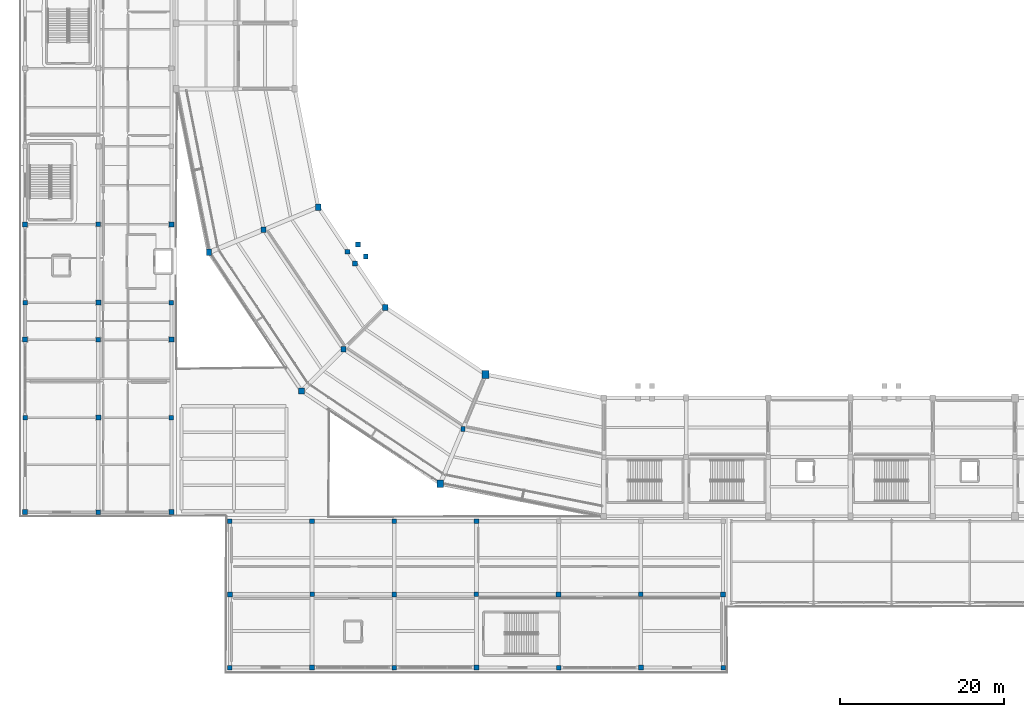
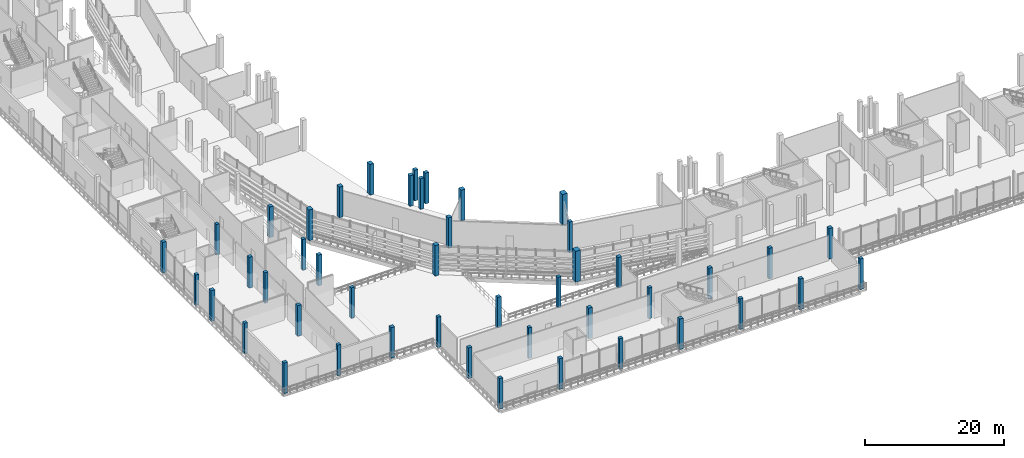
# One storey, part 1 of 111: 46 columns.
"""IFC4 building model written with IfcOpenShell, lengths in metres."""

import ifcopenshell
import ifcopenshell.guid

model = None  # the IFC model being written
_history = None  # IfcOwnerHistory: only IFC2X3 demands one
_inside = {}  # id of a spatial element -> (the spatial element, [elements in it])
_under = {}  # id of a project, library or spatial element -> (it, [spatial elements below it])
_declared = {}  # id of a project -> (the project, [libraries it declares])
_typed = {}  # id of a type object -> (the type object, [elements of that type])
_made_of = {}  # id of a material, layer set ... -> (it, [elements and type objects made of it])


def new_model(schema):
    """Start an empty IFC model of exactly this schema.

    Asked for "IFC4X3", IfcOpenShell would pick the latest addendum, in which some entities
    have other attributes; the version numbers below select the first issue.
    IFC2X3 requires an IfcOwnerHistory on every rooted entity: one is made here for all.
    """
    global model, _history
    if schema == "IFC4X3":
        model = ifcopenshell.file(schema_version=(4, 3, 0, 0))
    else:
        model = ifcopenshell.file(schema=schema)
    _inside.clear()
    _under.clear()
    _declared.clear()
    _typed.clear()
    _made_of.clear()
    _history = None
    if model.schema == "IFC2X3":
        org = make("IfcOrganization", Name="unknown")
        user = make(
            "IfcPersonAndOrganization",
            ThePerson=make("IfcPerson", FamilyName="unknown"),
            TheOrganization=org,
        )
        app = make(
            "IfcApplication",
            ApplicationDeveloper=org,
            Version="unknown",
            ApplicationFullName="unknown",
            ApplicationIdentifier="unknown",
        )
        _history = make(
            "IfcOwnerHistory",
            OwningUser=user,
            OwningApplication=app,
            ChangeAction="ADDED",
            CreationDate=0,
        )
    return model


def make(cls, **values):
    """One entity of the class cls with the attributes given. An attribute that is None is left unset."""
    return model.create_entity(
        cls, **{name: value for name, value in values.items() if value is not None}
    )


def rooted(cls, **values):
    """An entity with a GlobalId (a new one), such as an element, a storey or a relation."""
    return make(cls, GlobalId=ifcopenshell.guid.new(), OwnerHistory=_history, **values)


def si_unit(unit_type, name, prefix=None):
    """IfcSIUnit, for example si_unit("LENGTHUNIT", "METRE", prefix="MILLI")."""
    return make("IfcSIUnit", UnitType=unit_type, Prefix=prefix, Name=name)


def assignment(units):
    """IfcUnitAssignment: the units of a project."""
    return None if units is None else make("IfcUnitAssignment", Units=units)


def point(xyz):
    """IfcCartesianPoint."""
    return None if xyz is None else make("IfcCartesianPoint", Coordinates=xyz)


def direction(xyz):
    """IfcDirection."""
    return None if xyz is None else make("IfcDirection", DirectionRatios=xyz)


def frame(location, z_axis=None, x_axis=None):
    """IfcAxis2Placement3D, a coordinate frame: its origin and axes. An axis left out is left unset."""
    return make(
        "IfcAxis2Placement3D",
        Location=point(location),
        Axis=direction(z_axis),
        RefDirection=direction(x_axis),
    )


def frame_2d(location, x_axis=None):
    """IfcAxis2Placement2D, a coordinate frame in the plane: its origin and x axis."""
    return make(
        "IfcAxis2Placement2D", Location=point(location), RefDirection=direction(x_axis)
    )


def origin():
    """The frame at (0, 0, 0) with its axes left unset."""
    return frame((0.0, 0.0, 0.0))


def origin_2d():
    """The frame at (0, 0) in the plane with its x axis left unset."""
    return frame_2d((0.0, 0.0))


def place(relative_to, where):
    """IfcLocalPlacement: puts the frame where relative to a parent placement (None: the world)."""
    return make(
        "IfcLocalPlacement", PlacementRelTo=relative_to, RelativePlacement=where
    )


def context(
    kind, dimensions, precision=None, world=None, true_north=None, identifier=None
):
    """IfcGeometricRepresentationContext, for example the 3D "Model" context."""
    return make(
        "IfcGeometricRepresentationContext",
        ContextIdentifier=identifier,
        ContextType=kind,
        CoordinateSpaceDimension=dimensions,
        Precision=precision,
        WorldCoordinateSystem=world,
        TrueNorth=true_north,
    )


def subcontext(parent, identifier, kind, view, scale=None):
    """IfcGeometricRepresentationSubContext, for example "Body" below "Model"."""
    return make(
        "IfcGeometricRepresentationSubContext",
        ContextIdentifier=identifier,
        ContextType=kind,
        ParentContext=parent,
        TargetScale=scale,
        TargetView=view,
    )


def project(units=None, contexts=None):
    """IfcProject with its units and contexts."""
    return rooted(
        "IfcProject",
        Name="project",
        RepresentationContexts=contexts,
        UnitsInContext=assignment(units),
    )


def spatial(cls, under=None, at=None, **own):
    """A site, building, storey or space (cls), placed at a placement, below another one or the project."""
    s = rooted(cls, ObjectPlacement=at, **own)
    if under is not None:
        _under.setdefault(under.id(), (under, []))[1].append(s)
    return s


def profile(cls, at=None, kind="AREA", **sizes):
    """A parametric profile (cls). Its sizes go by their IFC names, for example OverallWidth=200.0."""
    return make(cls, ProfileType=kind, Position=at, **sizes)


def rectangle(**sizes):
    """IfcRectangleProfileDef."""
    return profile("IfcRectangleProfileDef", **sizes)


def extrude(swept, where, along, depth):
    """IfcExtrudedAreaSolid: the profile swept, set in the frame where, extruded along a direction by depth."""
    return make(
        "IfcExtrudedAreaSolid",
        SweptArea=swept,
        Position=where,
        ExtrudedDirection=direction(along),
        Depth=depth,
    )


def shape(context_of_items, identifier, shape_type, items):
    """IfcShapeRepresentation: the items that make up one representation, for example the "Body"."""
    return make(
        "IfcShapeRepresentation",
        ContextOfItems=context_of_items,
        RepresentationIdentifier=identifier,
        RepresentationType=shape_type,
        Items=items,
    )


def material(Name=None, Category=None):
    """IfcMaterial."""
    return make("IfcMaterial", Name=Name, Category=Category)


def material_profile(
    of_material, cross_section, Name=None, Category=None, Priority=None
):
    """IfcMaterialProfile: a cross section and its material."""
    return make(
        "IfcMaterialProfile",
        Name=Name,
        Material=of_material,
        Profile=cross_section,
        Priority=Priority,
        Category=Category,
    )


def profile_set(profiles, Name=None, composite=None):
    """IfcMaterialProfileSet."""
    return make(
        "IfcMaterialProfileSet",
        Name=Name,
        MaterialProfiles=profiles,
        CompositeProfile=composite,
    )


def made_of(thing, what):
    """Note that an element or type object is made of a material, layer set ...; save() writes the relation."""
    if what is not None:
        _made_of.setdefault(what.id(), (what, []))[1].append(thing)
    return thing


def type_object(cls, material=None, **own):
    """A type object (cls), such as IfcWallType, which elements share."""
    return made_of(rooted(cls, **own), material)


def element(
    cls,
    number,
    at=None,
    inside=None,
    cuts=None,
    type_object=None,
    material=None,
    context=None,
    identifier="Body",
    shape_type=None,
    held_by="IfcProductDefinitionShape",
    body=None,
    shapes=None,
    **own,
):
    """One element of the class cls, such as IfcWall. Its Tag is "e" and its number.

    at: its placement. inside: the storey or other place that contains it. cuts: it is an
    opening in that element (IfcRelVoidsElement). A single representation is given by context,
    identifier, shape_type and body (its items); several are given by shapes. held_by: the class
    of the entity that holds the representations. save() writes the other relations.
    """
    e = rooted(cls, Tag="e%d" % number, ObjectPlacement=at, **own)
    if body is not None:
        shapes = [shape(context, identifier, shape_type, body)]
    if shapes is not None:
        e.Representation = make(held_by, Representations=shapes)
    if inside is not None:
        _inside.setdefault(inside.id(), (inside, []))[1].append(e)
    if cuts is not None:
        rooted(
            "IfcRelVoidsElement", RelatingBuildingElement=cuts, RelatedOpeningElement=e
        )
    if type_object is not None:
        _typed.setdefault(type_object.id(), (type_object, []))[1].append(e)
    return made_of(e, material)


def aggregate(whole, parts):
    """IfcRelAggregates: a whole, such as a stair, and the parts it consists of."""
    return rooted("IfcRelAggregates", RelatingObject=whole, RelatedObjects=parts)


def save(model, path):
    """Write the relations noted so far, then the file.

    IfcRelAggregates (storeys below a building ...), IfcRelContainedInSpatialStructure (elements
    in a storey), IfcRelDefinesByType, IfcRelAssociatesMaterial and IfcRelDeclares: one each for
    every whole, place, type object, material and project.
    """
    for whole, parts in _under.values():
        aggregate(whole, parts)
    for where, things in _inside.values():
        rooted(
            "IfcRelContainedInSpatialStructure",
            RelatedElements=things,
            RelatingStructure=where,
        )
    for kind, things in _typed.values():
        rooted("IfcRelDefinesByType", RelatedObjects=things, RelatingType=kind)
    for what, things in _made_of.values():
        rooted("IfcRelAssociatesMaterial", RelatedObjects=things, RelatingMaterial=what)
    for by, libraries in _declared.values():
        rooted("IfcRelDeclares", RelatingContext=by, RelatedDefinitions=libraries)
    model.write(path)


model = new_model("IFC4")

# Units and contexts
model_context = context("Model", 3, precision=1e-05, world=origin(), true_north=direction((0.0, 1.0)))
body_context = subcontext(model_context, "Body", "Model", "MODEL_VIEW")
ifc_project = project(units=[si_unit("LENGTHUNIT", "METRE"), si_unit("AREAUNIT", "SQUARE_METRE"), si_unit("VOLUMEUNIT", "CUBIC_METRE"), si_unit("PLANEANGLEUNIT", "RADIAN"), si_unit("MASSUNIT", "GRAM", prefix="KILO")], contexts=[model_context])

# Site, building, storey
site_placement = place(None, origin())
site = spatial("IfcSite", under=ifc_project, at=site_placement, CompositionType="ELEMENT")
building_placement = place(site_placement, origin())
building = spatial("IfcBuilding", under=site, at=building_placement, Name="Candeia Ridge Stadium", CompositionType="ELEMENT")
storey_placement = place(building_placement, frame((0.0, 0.0, 16.199951171875)))
storey = spatial("IfcBuildingStorey", under=building, at=storey_placement, Name="L03", CompositionType="ELEMENT", Elevation=16.199951171875)

# Columns
ifc_material_1 = material(Name="Concrete C40/50", Category="concrete")
ifc_material_profile_1 = material_profile(ifc_material_1, rectangle(XDim=0.52001953125, YDim=0.6201171875, at=origin_2d()), Name="RC520x620", Category="concrete")
ifc_profile_set_1 = profile_set([ifc_material_profile_1], Name="Concrete C40/50")
column_type_1 = type_object("IfcColumnType", Name="Graduated Frame Column RC520x620", PredefinedType="COLUMN", material=ifc_profile_set_1)
column_1_placement = place(storey_placement, frame((53.855712890625, 29.610107421875, 0.0), z_axis=(0.0, 0.0, 1.0), x_axis=(1.0, 0.0, 0.0)))
element("IfcColumn", 1, at=column_1_placement, inside=storey, type_object=column_type_1, Name="Structural column BC-M2-17 L03", PredefinedType="COLUMN", context=body_context, shape_type="SweptSolid", body=[
    extrude(rectangle(XDim=0.52001953125, YDim=0.6201171875, at=origin_2d()), origin(), (0.0, 0.0, 1.0), 5.400146484375),
])
ifc_material_profile_2 = material_profile(ifc_material_1, rectangle(XDim=0.580078125, YDim=0.679931640625, at=origin_2d()), Name="RC580x680", Category="concrete")
ifc_profile_set_2 = profile_set([ifc_material_profile_2], Name="Concrete C40/50")
column_type_2 = type_object("IfcColumnType", Name="Graduated Frame Column RC580x680", PredefinedType="COLUMN", material=ifc_profile_set_2)
column_2_placement = place(storey_placement, frame((39.321533203125, 39.321533203125, 0.0), z_axis=(0.0, 0.0, 1.0), x_axis=(1.0, 0.0, 0.0)))
element("IfcColumn", 2, at=column_2_placement, inside=storey, type_object=column_type_2, Name="Structural column BC-M2-16 L03", PredefinedType="COLUMN", context=body_context, shape_type="SweptSolid", body=[
    extrude(rectangle(XDim=0.580078125, YDim=0.679931640625, at=origin_2d()), origin(), (0.0, 0.0, 1.0), 5.400146484375),
])
ifc_material_profile_3 = material_profile(ifc_material_1, rectangle(XDim=0.6201171875, YDim=0.719970703125, at=origin_2d()), Name="RC620x720", Category="concrete")
ifc_profile_set_3 = profile_set([ifc_material_profile_3], Name="Concrete C40/50")
column_type_3 = type_object("IfcColumnType", Name="Graduated Frame Column RC620x720", PredefinedType="COLUMN", material=ifc_profile_set_3)
column_3_placement = place(storey_placement, frame((29.610107421875, 53.855712890625, 0.0), z_axis=(0.0, 0.0, 1.0), x_axis=(1.0, 0.0, 0.0)))
element("IfcColumn", 3, at=column_3_placement, inside=storey, type_object=column_type_3, Name="Structural column BC-M2-15 L03", PredefinedType="COLUMN", context=body_context, shape_type="SweptSolid", body=[
    extrude(rectangle(XDim=0.6201171875, YDim=0.719970703125, at=origin_2d()), origin(), (0.0, 0.0, 1.0), 5.400146484375),
])
ifc_material_2 = material(Name="Concrete C45/55", Category="concrete")
ifc_material_profile_4 = material_profile(ifc_material_2, rectangle(XDim=0.820068359375, YDim=0.949951171875, at=origin_2d()), Name="RC820x950", Category="concrete")
ifc_profile_set_4 = profile_set([ifc_material_profile_4], Name="Concrete C45/55")
column_type_4 = type_object("IfcColumnType", Name="Graduated Frame Column RC820x950", PredefinedType="COLUMN", material=ifc_profile_set_4)
for number, where, z_axis, x_axis, name in (
    (4, (56.611083984375, 36.26220703125, 0.0), (0.0, 0.0, 1.0), (1.0, 0.0, 0.0), "Structural column BC-MD-17 L03"),
    (5, (51.100341796875, 22.958251953125, 0.0), (0.0, 0.0, 1.0), (1.0, 0.0, 0.0), "Structural column BC-OU-17 L03"),
):
    element("IfcColumn", number, at=place(storey_placement, frame(where, z_axis=z_axis, x_axis=x_axis)), inside=storey, type_object=column_type_4, Name=name, PredefinedType="COLUMN", context=body_context, shape_type="SweptSolid", body=[
        extrude(rectangle(XDim=0.820068359375, YDim=0.949951171875, at=origin_2d()), origin(), (0.0, 0.0, 1.0), 5.400146484375),
    ])
ifc_material_profile_5 = material_profile(ifc_material_1, rectangle(XDim=0.550048828125, YDim=0.550048828125, at=origin_2d()), Name="RC550x550", Category="concrete")
ifc_profile_set_5 = profile_set([ifc_material_profile_5], Name="Concrete C40/50")
column_type_5 = type_object("IfcColumnType", Name="Reinforced Concrete Column RC550x550", PredefinedType="COLUMN", material=ifc_profile_set_5)
for number, where, z_axis, x_axis, name in (
    (6, (0.60009765625, 31.0, 0.0), (0.0, 0.0, 1.0), (1.0, 0.0, 0.0), "Structural column WP-00-01 L03"),
    (7, (0.60009765625, 45.0, 0.0), (0.0, 0.0, 1.0), (1.0, 0.0, 0.0), "Structural column WP-00-03 L03"),
    (8, (9.5, 19.5, 0.0), (0.0, 0.0, 1.0), (1.0, 0.0, 0.0), "Structural column WP-01-00 L03"),
    (9, (9.5, 40.5, 0.0), (0.0, 0.0, 1.0), (1.0, 0.0, 0.0), "Structural column WP-01-02 L03"),
    (10, (9.5, 54.5, 0.0), (0.0, 0.0, 1.0), (1.0, 0.0, 0.0), "Structural column WP-01-04 L03"),
    (11, (18.39990234375, 31.0, 0.0), (0.0, 0.0, 1.0), (1.0, 0.0, 0.0), "Structural column WP-02-01 L03"),
    (12, (18.39990234375, 45.0, 0.0), (0.0, 0.0, 1.0), (1.0, 0.0, 0.0), "Structural column WP-02-03 L03"),
    (13, (25.5, 0.60009765625, 0.0), (0.0, 0.0, 1.0), (1.0, 0.0, 0.0), "Structural column SWW-00-00 L03"),
    (14, (25.5, 18.39990234375, 0.0), (0.0, 0.0, 1.0), (1.0, 0.0, 0.0), "Structural column SWW-00-02 L03"),
    (15, (35.5, 9.5, 0.0), (0.0, 0.0, 1.0), (1.0, 0.0, 0.0), "Structural column SWW-01-01 L03"),
    (16, (45.5, 0.60009765625, 0.0), (0.0, 0.0, 1.0), (1.0, 0.0, 0.0), "Structural column SWW-02-00 L03"),
    (17, (45.5, 18.39990234375, 0.0), (0.0, 0.0, 1.0), (1.0, 0.0, 0.0), "Structural column SWW-02-02 L03"),
    (18, (55.5, 9.5, 0.0), (0.0, 0.0, 1.0), (1.0, 0.0, 0.0), "Structural column SWW-03-01 L03"),
    (19, (65.5, 0.60009765625, 0.0), (0.0, 0.0, 1.0), (1.0, 0.0, 0.0), "Structural column SWW-04-00 L03"),
    (20, (75.5, 9.5, 0.0), (0.0, 0.0, 1.0), (1.0, 0.0, 0.0), "Structural column SWW-05-01 L03"),
    (21, (85.5, 0.60009765625, 0.0), (0.0, 0.0, 1.0), (1.0, 0.0, 0.0), "Structural column SWW-06-00 L03"),
):
    element("IfcColumn", number, at=place(storey_placement, frame(where, z_axis=z_axis, x_axis=x_axis)), inside=storey, type_object=column_type_5, Name=name, PredefinedType="COLUMN", context=body_context, shape_type="SweptSolid", body=[
        extrude(rectangle(XDim=0.550048828125, YDim=0.550048828125, at=origin_2d()), origin(), (0.0, 0.0, 1.0), 5.400146484375),
    ])
ifc_material_profile_6 = material_profile(ifc_material_1, rectangle(XDim=0.64990234375, YDim=0.800048828125, at=origin_2d()), Name="RC650x800", Category="concrete")
ifc_profile_set_6 = profile_set([ifc_material_profile_6], Name="Concrete C40/50")
column_type_6 = type_object("IfcColumnType", Name="Reinforced Concrete Column RC650x800", PredefinedType="COLUMN", material=ifc_profile_set_6)
for number, where, z_axis, x_axis, name in (
    (22, (36.26220703125, 56.611083984375, 0.0), (0.0, 0.0, 1.0), (1.0, 0.0, 0.0), "Structural column BC-MD-15 L03"),
    (23, (22.958251953125, 51.100341796875, 0.0), (0.0, 0.0, 1.0), (1.0, 0.0, 0.0), "Structural column BC-OU-15 L03"),
):
    element("IfcColumn", number, at=place(storey_placement, frame(where, z_axis=z_axis, x_axis=x_axis)), inside=storey, type_object=column_type_6, Name=name, PredefinedType="COLUMN", context=body_context, shape_type="SweptSolid", body=[
        extrude(rectangle(XDim=0.64990234375, YDim=0.800048828125, at=origin_2d()), origin(), (0.0, 0.0, 1.0), 5.400146484375),
    ])
ifc_material_profile_7 = material_profile(ifc_material_1, rectangle(XDim=0.60009765625, YDim=0.60009765625, at=origin_2d()), Name="RC600x600", Category="concrete")
ifc_profile_set_7 = profile_set([ifc_material_profile_7], Name="Concrete C40/50")
column_type_7 = type_object("IfcColumnType", Name="Wing Column RC600x600", PredefinedType="COLUMN", material=ifc_profile_set_7)
for number, where, z_axis, x_axis, name in (
    (24, (0.60009765625, 19.5, 0.0), (0.0, 0.0, 1.0), (1.0, 0.0, 0.0), "Structural column WP-00-00 L03"),
    (25, (0.60009765625, 40.5, 0.0), (0.0, 0.0, 1.0), (1.0, 0.0, 0.0), "Structural column WP-00-02 L03"),
    (26, (0.60009765625, 54.5, 0.0), (0.0, 0.0, 1.0), (1.0, 0.0, 0.0), "Structural column WP-00-04 L03"),
    (27, (9.5, 31.0, 0.0), (0.0, 0.0, 1.0), (1.0, 0.0, 0.0), "Structural column WP-01-01 L03"),
    (28, (9.5, 45.0, 0.0), (0.0, 0.0, 1.0), (1.0, 0.0, 0.0), "Structural column WP-01-03 L03"),
    (29, (18.39990234375, 19.5, 0.0), (0.0, 0.0, 1.0), (1.0, 0.0, 0.0), "Structural column WP-02-00 L03"),
    (30, (18.39990234375, 40.5, 0.0), (0.0, 0.0, 1.0), (1.0, 0.0, 0.0), "Structural column WP-02-02 L03"),
    (31, (18.39990234375, 54.5, 0.0), (0.0, 0.0, 1.0), (1.0, 0.0, 0.0), "Structural column WP-02-04 L03"),
    (32, (25.5, 9.5, 0.0), (0.0, 0.0, 1.0), (1.0, 0.0, 0.0), "Structural column SWW-00-01 L03"),
    (33, (35.5, 0.60009765625, 0.0), (0.0, 0.0, 1.0), (1.0, 0.0, 0.0), "Structural column SWW-01-00 L03"),
    (34, (35.5, 18.39990234375, 0.0), (0.0, 0.0, 1.0), (1.0, 0.0, 0.0), "Structural column SWW-01-02 L03"),
    (35, (45.5, 9.5, 0.0), (0.0, 0.0, 1.0), (1.0, 0.0, 0.0), "Structural column SWW-02-01 L03"),
    (36, (55.5, 0.60009765625, 0.0), (0.0, 0.0, 1.0), (1.0, 0.0, 0.0), "Structural column SWW-03-00 L03"),
    (37, (55.5, 18.39990234375, 0.0), (0.0, 0.0, 1.0), (1.0, 0.0, 0.0), "Structural column SWW-03-02 L03"),
    (38, (65.5, 9.5, 0.0), (0.0, 0.0, 1.0), (1.0, 0.0, 0.0), "Structural column SWW-04-01 L03"),
    (39, (75.5, 0.60009765625, 0.0), (0.0, 0.0, 1.0), (1.0, 0.0, 0.0), "Structural column SWW-05-00 L03"),
    (40, (85.5, 9.5, 0.0), (0.0, 0.0, 1.0), (1.0, 0.0, 0.0), "Structural column SWW-06-01 L03"),
    (41, (40.748291015625, 49.76416015625, 0.0), (0.0, 0.0, 1.0), (1.0, 0.0, 0.0), "Vomitory VS30 landing support column 1 L03"),
    (42, (42.037109375, 50.62548828125, 0.0), (0.0, 0.0, 1.0), (1.0, 0.0, 0.0), "Vomitory VS30 landing support column 2 L03"),
    (43, (41.0927734375, 52.038818359375, 0.0), (0.0, 0.0, 1.0), (1.0, 0.0, 0.0), "Vomitory VS30 landing support column 3 L03"),
    (44, (39.803955078125, 51.177734375, 0.0), (0.0, 0.0, 1.0), (1.0, 0.0, 0.0), "Vomitory VS30 landing support column 4 L03"),
):
    element("IfcColumn", number, at=place(storey_placement, frame(where, z_axis=z_axis, x_axis=x_axis)), inside=storey, type_object=column_type_7, Name=name, PredefinedType="COLUMN", context=body_context, shape_type="SweptSolid", body=[
        extrude(rectangle(XDim=0.60009765625, YDim=0.60009765625, at=origin_2d()), origin(), (0.0, 0.0, 1.0), 5.400146484375),
    ])
ifc_material_profile_8 = material_profile(ifc_material_1, rectangle(XDim=0.699951171875, YDim=0.699951171875, at=origin_2d()), Name="RC700x700", Category="concrete")
ifc_profile_set_8 = profile_set([ifc_material_profile_8], Name="Concrete C40/50")
column_type_8 = type_object("IfcColumnType", Name="Wing Column RC700x700", PredefinedType="COLUMN", material=ifc_profile_set_8)
for number, where, z_axis, x_axis, name in (
    (45, (44.412841796875, 44.412841796875, 0.0), (0.0, 0.0, 1.0), (1.0, 0.0, 0.0), "Structural column BC-MD-16 L03"),
    (46, (34.23046875, 34.23046875, 0.0), (0.0, 0.0, 1.0), (1.0, 0.0, 0.0), "Structural column BC-OU-16 L03"),
):
    element("IfcColumn", number, at=place(storey_placement, frame(where, z_axis=z_axis, x_axis=x_axis)), inside=storey, type_object=column_type_8, Name=name, PredefinedType="COLUMN", context=body_context, shape_type="SweptSolid", body=[
        extrude(rectangle(XDim=0.699951171875, YDim=0.699951171875, at=origin_2d()), origin(), (0.0, 0.0, 1.0), 5.400146484375),
    ])

save(model, "model.ifc")
